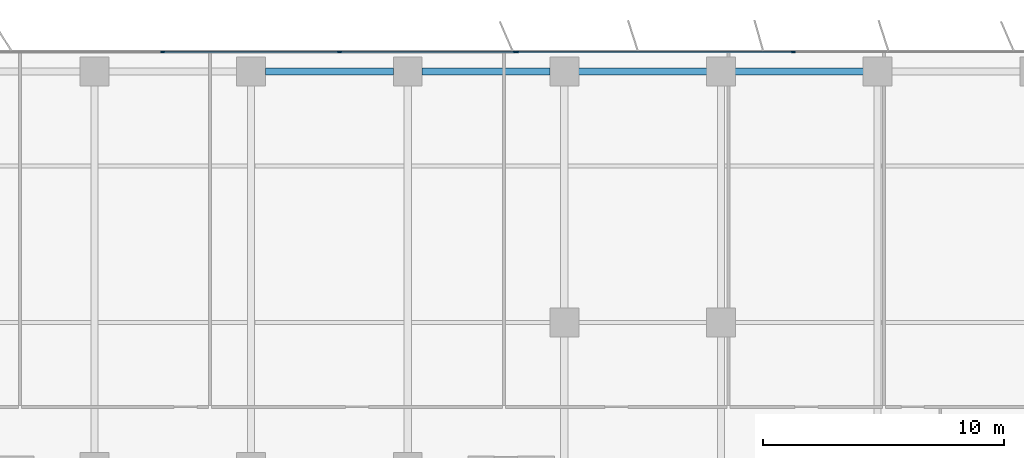
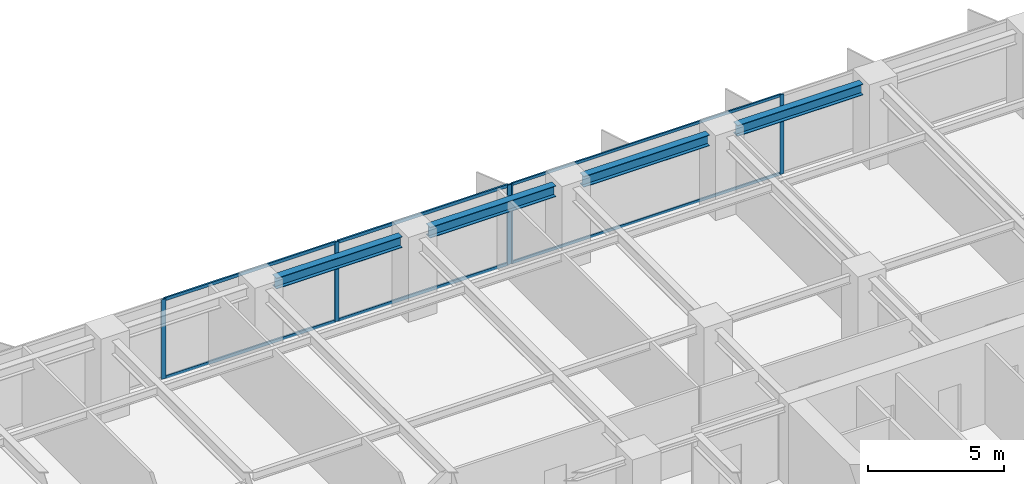
# One storey, part 9 of 20: 11 members, 4 beams, 2 elements without a shape of their own.
"""IFC4 building model written with IfcOpenShell, lengths in metres."""

from ifc_helpers import new_model, si_unit, direction, frame, origin, origin_2d, place, context, subcontext, project, spatial, rectangle, i_section, extrude, material, layer, layer_set, material_profile, profile_set, type_object, element, aggregate, save


model = new_model("IFC4")

# Units and contexts
model_context = context("Model", 3, precision=1e-05, world=origin(), true_north=direction((0.0, 1.0)))
body_context = subcontext(model_context, "Body", "Model", "MODEL_VIEW")
ifc_project = project(units=[si_unit("LENGTHUNIT", "METRE"), si_unit("AREAUNIT", "SQUARE_METRE"), si_unit("VOLUMEUNIT", "CUBIC_METRE"), si_unit("PLANEANGLEUNIT", "RADIAN"), si_unit("MASSUNIT", "GRAM", prefix="KILO")], contexts=[model_context])

# Site, building, storey
site_placement = place(None, origin())
site = spatial("IfcSite", under=ifc_project, at=site_placement, CompositionType="ELEMENT")
building_placement = place(site_placement, origin())
building = spatial("IfcBuilding", under=site, at=building_placement, Name="Putna Gate Headquarters", CompositionType="ELEMENT")
storey_placement = place(building_placement, frame((0.0, 0.0, 120.199951171875)))
storey = spatial("IfcBuildingStorey", under=building, at=storey_placement, Name="L29", CompositionType="ELEMENT", Elevation=120.199951171875)

# Beams
ifc_material_1 = material(Name="Steel S355J2", Category="steel")
ifc_material_profile_1 = material_profile(ifc_material_1, i_section(OverallWidth=0.300048828125, OverallDepth=0.489990234375, WebThickness=0.011962890625, FlangeThickness=0.02294921875, at=origin_2d()), Name="Steel S355J2")
ifc_profile_set_1 = profile_set([ifc_material_profile_1], Name="Steel S355J2")
beam_type = type_object("IfcBeamType", Name="BM-SPAN-Z2-HEA500", PredefinedType="SPANDREL", material=ifc_profile_set_1)
for number, where, z_axis, x_axis, name in (
    (1, (39.587890625, 49.419921875, 3.320068359375), (1.0, 0.0, 0.0), (0.0, 1.0, 0.0), "L29 N Perimeter Spandrel 6"),
    (2, (46.087890625, 49.419921875, 3.320068359375), (1.0, 0.0, 0.0), (0.0, 1.0, 0.0), "L29 N Perimeter Spandrel 7"),
    (3, (52.587890625, 49.419921875, 3.320068359375), (1.0, 0.0, 0.0), (0.0, 1.0, 0.0), "L29 N Perimeter Spandrel 8"),
    (4, (59.087890625, 49.419921875, 3.320068359375), (1.0, 0.0, 0.0), (0.0, 1.0, 0.0), "L29 N Perimeter Spandrel 9"),
):
    element("IfcBeam", number, at=place(storey_placement, frame(where, z_axis=z_axis, x_axis=x_axis)), inside=storey, type_object=beam_type, Name=name, PredefinedType="SPANDREL", context=body_context, shape_type="SweptSolid", body=[
        extrude(i_section(OverallWidth=0.300048828125, OverallDepth=0.489990234375, WebThickness=0.011962890625, FlangeThickness=0.02294921875, at=origin_2d()), origin(), (0.0, 0.0, 1.0), 5.32421875),
    ])

# Curtain wall, members
ifc_material_2 = material(Name="Anodised bronze aluminium curtain wall", Category="aluminium")
ifc_layer_1 = layer(ifc_material_2, 0.159912109375)
ifc_layer_set_1 = layer_set([ifc_layer_1], Name="Anodised bronze aluminium curtain wall")
curtain_wall_type_1 = type_object("IfcCurtainWallType", Name="CW-SYS-Z2", PredefinedType="USERDEFINED", material=ifc_layer_set_1)
curtain_wall_1_placement = place(storey_placement, origin())
curtain_wall_1 = element("IfcCurtainWall", 5, at=curtain_wall_1_placement, inside=storey, type_object=curtain_wall_type_1, Name="L29 North East Curtain Wall", ObjectType="STICK CURTAIN WALL", PredefinedType="USERDEFINED")
ifc_material_3 = material(Name="Anodised bronze aluminium EN AW-6060", Category="aluminium")
ifc_material_profile_2 = material_profile(ifc_material_3, rectangle(XDim=0.06494140625, YDim=0.159912109375, at=origin_2d()), Name="Anodised bronze aluminium EN AW-6060")
ifc_profile_set_2 = profile_set([ifc_material_profile_2], Name="Anodised bronze aluminium EN AW-6060")
member_type_1 = type_object("IfcMemberType", Name="MULL-CWM-2", PredefinedType="MULLION", material=ifc_profile_set_2)
member_1_placement = place(storey_placement, frame((50.032470703125, 50.219970703125, 0.0), z_axis=(0.0, 0.0, 1.0), x_axis=(0.0, 1.0, 0.0)))
member_1 = element("IfcMember", 6, at=member_1_placement, type_object=member_type_1, Name="CWS-2 mullion 1", PredefinedType="MULLION", context=body_context, shape_type="SweptSolid", body=[
    extrude(rectangle(XDim=0.06494140625, YDim=0.159912109375, at=origin_2d()), origin(), (0.0, 0.0, 1.0), 3.56494140625),
])
member_2_placement = place(storey_placement, frame((61.5, 50.219970703125, 0.0), z_axis=(0.0, 0.0, 1.0), x_axis=(0.0, 1.0, 0.0)))
member_2 = element("IfcMember", 7, at=member_2_placement, type_object=member_type_1, Name="CWS-2 mullion 2", PredefinedType="MULLION", context=body_context, shape_type="SweptSolid", body=[
    extrude(rectangle(XDim=0.06494140625, YDim=0.159912109375, at=origin_2d()), origin(), (0.0, 0.0, 1.0), 3.56494140625),
])

ifc_layer_2 = layer(ifc_material_2, 0.179931640625)
ifc_layer_set_2 = layer_set([ifc_layer_2], Name="Anodised bronze aluminium curtain wall")
curtain_wall_type_2 = type_object("IfcCurtainWallType", Name="CW-SYS-ATR", PredefinedType="USERDEFINED", material=ifc_layer_set_2)
curtain_wall_2_placement = place(storey_placement, origin())
curtain_wall_2 = element("IfcCurtainWall", 8, at=curtain_wall_2_placement, inside=storey, type_object=curtain_wall_type_2, Name="L29 North Atrium Clear Glazing", ObjectType="ATRIUM GLAZING", PredefinedType="USERDEFINED")
ifc_material_profile_3 = material_profile(ifc_material_3, rectangle(XDim=0.070068359375, YDim=0.179931640625, at=origin_2d()), Name="Anodised bronze aluminium EN AW-6060")
ifc_profile_set_3 = profile_set([ifc_material_profile_3], Name="Anodised bronze aluminium EN AW-6060")
member_type_2 = type_object("IfcMemberType", Name="MULL-CWM-AT", PredefinedType="MULLION", material=ifc_profile_set_3)
member_3_placement = place(storey_placement, frame((35.333251953125, 50.219970703125, 0.0), z_axis=(0.0, 0.0, 1.0), x_axis=(0.0, 1.0, 0.0)))
member_3 = element("IfcMember", 9, at=member_3_placement, type_object=member_type_2, Name="CWS-AT mullion 2", PredefinedType="MULLION", context=body_context, shape_type="SweptSolid", body=[
    extrude(rectangle(XDim=0.070068359375, YDim=0.179931640625, at=origin_2d()), origin(), (0.0, 0.0, 1.0), 3.56494140625),
])
member_4_placement = place(storey_placement, frame((42.666748046875, 50.219970703125, 0.0), z_axis=(0.0, 0.0, 1.0), x_axis=(0.0, 1.0, 0.0)))
member_4 = element("IfcMember", 10, at=member_4_placement, type_object=member_type_2, Name="CWS-AT mullion 3", PredefinedType="MULLION", context=body_context, shape_type="SweptSolid", body=[
    extrude(rectangle(XDim=0.070068359375, YDim=0.179931640625, at=origin_2d()), origin(), (0.0, 0.0, 1.0), 3.56494140625),
])
member_5_placement = place(storey_placement, frame((49.965087890625, 50.219970703125, 0.0), z_axis=(0.0, 0.0, 1.0), x_axis=(0.0, 1.0, 0.0)))
member_5 = element("IfcMember", 11, at=member_5_placement, type_object=member_type_2, Name="CWS-AT mullion 4", PredefinedType="MULLION", context=body_context, shape_type="SweptSolid", body=[
    extrude(rectangle(XDim=0.070068359375, YDim=0.179931640625, at=origin_2d()), origin(), (0.0, 0.0, 1.0), 3.56494140625),
])

# Member
ifc_material_profile_4 = material_profile(ifc_material_3, rectangle(XDim=0.06494140625, YDim=0.1201171875, at=origin_2d()), Name="Anodised bronze aluminium EN AW-6060")
ifc_profile_set_4 = profile_set([ifc_material_profile_4], Name="Anodised bronze aluminium EN AW-6060")
member_type_3 = type_object("IfcMemberType", Name="TRAN-CWT-2", PredefinedType="USERDEFINED", material=ifc_profile_set_4)
member_6_placement = place(storey_placement, frame((50.06494140625, 50.219970703125, 0.032470703125), z_axis=(1.0, 0.0, 0.0), x_axis=(0.0, 1.0, 0.0)))
member_6 = element("IfcMember", 12, at=member_6_placement, type_object=member_type_3, Name="CWS-2 transom 1.1", ObjectType="TRANSOM", PredefinedType="USERDEFINED", context=body_context, shape_type="SweptSolid", body=[
    extrude(rectangle(XDim=0.06494140625, YDim=0.1201171875, at=origin_2d()), origin(), (0.0, 0.0, 1.0), 11.402587890625),
])

member_7_placement = place(storey_placement, frame((50.06494140625, 50.219970703125, 3.532470703125), z_axis=(1.0, 0.0, 0.0), x_axis=(0.0, 1.0, 0.0)))
member_7 = element("IfcMember", 13, at=member_7_placement, type_object=member_type_3, Name="CWS-2 transom 1.2", ObjectType="TRANSOM", PredefinedType="USERDEFINED", context=body_context, shape_type="SweptSolid", body=[
    extrude(rectangle(XDim=0.06494140625, YDim=0.1201171875, at=origin_2d()), origin(), (0.0, 0.0, 1.0), 11.402587890625),
])

aggregate(curtain_wall_1, [member_1, member_2, member_6, member_7])

ifc_material_profile_5 = material_profile(ifc_material_3, rectangle(XDim=0.070068359375, YDim=0.139892578125, at=origin_2d()), Name="Anodised bronze aluminium EN AW-6060")
ifc_profile_set_5 = profile_set([ifc_material_profile_5], Name="Anodised bronze aluminium EN AW-6060")
member_type_4 = type_object("IfcMemberType", Name="TRAN-CWT-AT", PredefinedType="USERDEFINED", material=ifc_profile_set_5)
member_8_placement = place(storey_placement, frame((35.368408203125, 50.219970703125, 0.03515625), z_axis=(1.0, 0.0, 0.0), x_axis=(0.0, 1.0, 0.0)))
member_8 = element("IfcMember", 14, at=member_8_placement, type_object=member_type_4, Name="CWS-AT transom 2.1", ObjectType="TRANSOM", PredefinedType="USERDEFINED", context=body_context, shape_type="SweptSolid", body=[
    extrude(rectangle(XDim=0.070068359375, YDim=0.139892578125, at=origin_2d()), origin(), (0.0, 0.0, 1.0), 7.26318359375),
])

member_9_placement = place(storey_placement, frame((35.368408203125, 50.219970703125, 3.530029296875), z_axis=(1.0, 0.0, 0.0), x_axis=(0.0, 1.0, 0.0)))
member_9 = element("IfcMember", 15, at=member_9_placement, type_object=member_type_4, Name="CWS-AT transom 2.2", ObjectType="TRANSOM", PredefinedType="USERDEFINED", context=body_context, shape_type="SweptSolid", body=[
    extrude(rectangle(XDim=0.070068359375, YDim=0.139892578125, at=origin_2d()), origin(), (0.0, 0.0, 1.0), 7.26318359375),
])

member_10_placement = place(storey_placement, frame((42.70166015625, 50.219970703125, 0.03515625), z_axis=(1.0, 0.0, 0.0), x_axis=(0.0, 1.0, 0.0)))
member_10 = element("IfcMember", 16, at=member_10_placement, type_object=member_type_4, Name="CWS-AT transom 3.1", ObjectType="TRANSOM", PredefinedType="USERDEFINED", context=body_context, shape_type="SweptSolid", body=[
    extrude(rectangle(XDim=0.070068359375, YDim=0.139892578125, at=origin_2d()), origin(), (0.0, 0.0, 1.0), 7.228271484375),
])

member_11_placement = place(storey_placement, frame((42.70166015625, 50.219970703125, 3.530029296875), z_axis=(1.0, 0.0, 0.0), x_axis=(0.0, 1.0, 0.0)))
member_11 = element("IfcMember", 17, at=member_11_placement, type_object=member_type_4, Name="CWS-AT transom 3.2", ObjectType="TRANSOM", PredefinedType="USERDEFINED", context=body_context, shape_type="SweptSolid", body=[
    extrude(rectangle(XDim=0.070068359375, YDim=0.139892578125, at=origin_2d()), origin(), (0.0, 0.0, 1.0), 7.228271484375),
])

aggregate(curtain_wall_2, [member_3, member_4, member_5, member_8, member_9, member_10, member_11])

save(model, "model.ifc")
